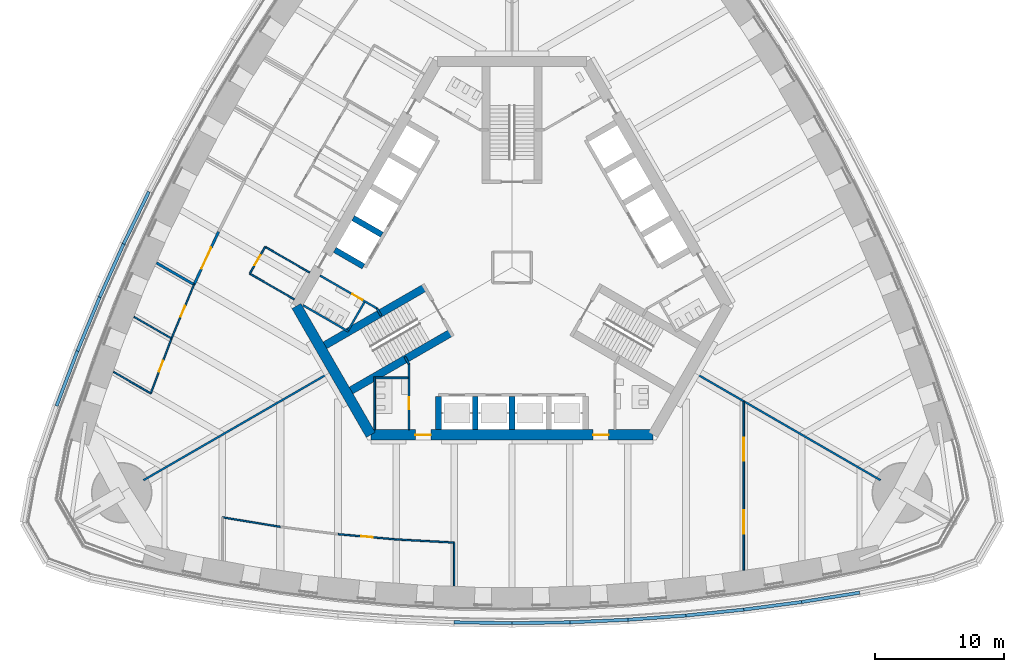
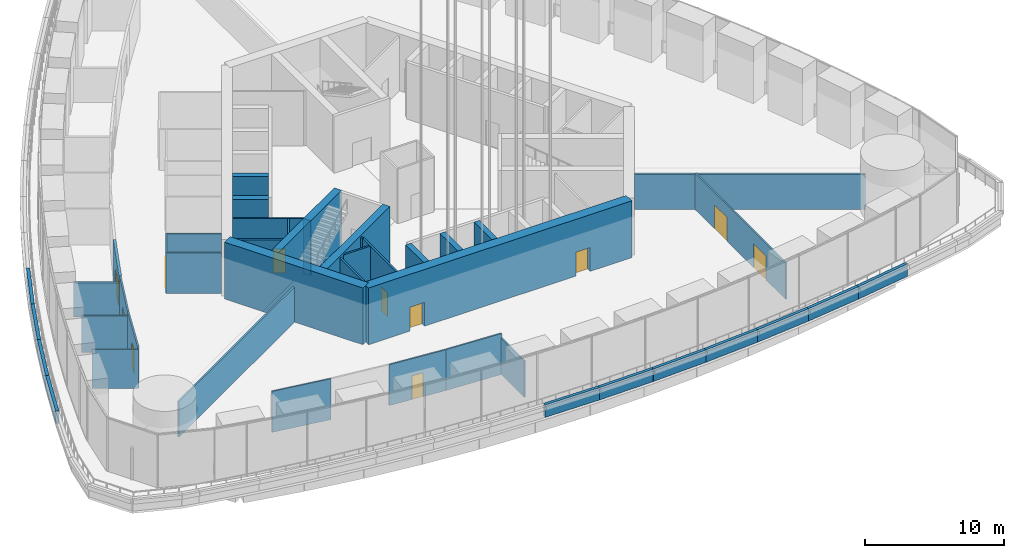
# One storey, part 14 of 33: 44 walls, 11 doors, 11 openings.
"""IFC4 building model written with IfcOpenShell, lengths in metres."""

import ifcopenshell
import ifcopenshell.guid

model = None  # the IFC model being written
_history = None  # IfcOwnerHistory: only IFC2X3 demands one
_inside = {}  # id of a spatial element -> (the spatial element, [elements in it])
_under = {}  # id of a project, library or spatial element -> (it, [spatial elements below it])
_declared = {}  # id of a project -> (the project, [libraries it declares])
_typed = {}  # id of a type object -> (the type object, [elements of that type])
_made_of = {}  # id of a material, layer set ... -> (it, [elements and type objects made of it])


def new_model(schema):
    """Start an empty IFC model of exactly this schema.

    Asked for "IFC4X3", IfcOpenShell would pick the latest addendum, in which some entities
    have other attributes; the version numbers below select the first issue.
    IFC2X3 requires an IfcOwnerHistory on every rooted entity: one is made here for all.
    """
    global model, _history
    if schema == "IFC4X3":
        model = ifcopenshell.file(schema_version=(4, 3, 0, 0))
    else:
        model = ifcopenshell.file(schema=schema)
    _inside.clear()
    _under.clear()
    _declared.clear()
    _typed.clear()
    _made_of.clear()
    _history = None
    if model.schema == "IFC2X3":
        org = make("IfcOrganization", Name="unknown")
        user = make(
            "IfcPersonAndOrganization",
            ThePerson=make("IfcPerson", FamilyName="unknown"),
            TheOrganization=org,
        )
        app = make(
            "IfcApplication",
            ApplicationDeveloper=org,
            Version="unknown",
            ApplicationFullName="unknown",
            ApplicationIdentifier="unknown",
        )
        _history = make(
            "IfcOwnerHistory",
            OwningUser=user,
            OwningApplication=app,
            ChangeAction="ADDED",
            CreationDate=0,
        )
    return model


def make(cls, **values):
    """One entity of the class cls with the attributes given. An attribute that is None is left unset."""
    return model.create_entity(
        cls, **{name: value for name, value in values.items() if value is not None}
    )


def rooted(cls, **values):
    """An entity with a GlobalId (a new one), such as an element, a storey or a relation."""
    return make(cls, GlobalId=ifcopenshell.guid.new(), OwnerHistory=_history, **values)


def si_unit(unit_type, name, prefix=None):
    """IfcSIUnit, for example si_unit("LENGTHUNIT", "METRE", prefix="MILLI")."""
    return make("IfcSIUnit", UnitType=unit_type, Prefix=prefix, Name=name)


def assignment(units):
    """IfcUnitAssignment: the units of a project."""
    return None if units is None else make("IfcUnitAssignment", Units=units)


def point(xyz):
    """IfcCartesianPoint."""
    return None if xyz is None else make("IfcCartesianPoint", Coordinates=xyz)


def direction(xyz):
    """IfcDirection."""
    return None if xyz is None else make("IfcDirection", DirectionRatios=xyz)


def frame(location, z_axis=None, x_axis=None):
    """IfcAxis2Placement3D, a coordinate frame: its origin and axes. An axis left out is left unset."""
    return make(
        "IfcAxis2Placement3D",
        Location=point(location),
        Axis=direction(z_axis),
        RefDirection=direction(x_axis),
    )


def frame_2d(location, x_axis=None):
    """IfcAxis2Placement2D, a coordinate frame in the plane: its origin and x axis."""
    return make(
        "IfcAxis2Placement2D", Location=point(location), RefDirection=direction(x_axis)
    )


def origin():
    """The frame at (0, 0, 0) with its axes left unset."""
    return frame((0.0, 0.0, 0.0))


def place(relative_to, where):
    """IfcLocalPlacement: puts the frame where relative to a parent placement (None: the world)."""
    return make(
        "IfcLocalPlacement", PlacementRelTo=relative_to, RelativePlacement=where
    )


def context(
    kind, dimensions, precision=None, world=None, true_north=None, identifier=None
):
    """IfcGeometricRepresentationContext, for example the 3D "Model" context."""
    return make(
        "IfcGeometricRepresentationContext",
        ContextIdentifier=identifier,
        ContextType=kind,
        CoordinateSpaceDimension=dimensions,
        Precision=precision,
        WorldCoordinateSystem=world,
        TrueNorth=true_north,
    )


def subcontext(parent, identifier, kind, view, scale=None):
    """IfcGeometricRepresentationSubContext, for example "Body" below "Model"."""
    return make(
        "IfcGeometricRepresentationSubContext",
        ContextIdentifier=identifier,
        ContextType=kind,
        ParentContext=parent,
        TargetScale=scale,
        TargetView=view,
    )


def project(units=None, contexts=None):
    """IfcProject with its units and contexts."""
    return rooted(
        "IfcProject",
        Name="project",
        RepresentationContexts=contexts,
        UnitsInContext=assignment(units),
    )


def spatial(cls, under=None, at=None, **own):
    """A site, building, storey or space (cls), placed at a placement, below another one or the project."""
    s = rooted(cls, ObjectPlacement=at, **own)
    if under is not None:
        _under.setdefault(under.id(), (under, []))[1].append(s)
    return s


def profile(cls, at=None, kind="AREA", **sizes):
    """A parametric profile (cls). Its sizes go by their IFC names, for example OverallWidth=200.0."""
    return make(cls, ProfileType=kind, Position=at, **sizes)


def rectangle(**sizes):
    """IfcRectangleProfileDef."""
    return profile("IfcRectangleProfileDef", **sizes)


def extrude(swept, where, along, depth):
    """IfcExtrudedAreaSolid: the profile swept, set in the frame where, extruded along a direction by depth."""
    return make(
        "IfcExtrudedAreaSolid",
        SweptArea=swept,
        Position=where,
        ExtrudedDirection=direction(along),
        Depth=depth,
    )


def shape(context_of_items, identifier, shape_type, items):
    """IfcShapeRepresentation: the items that make up one representation, for example the "Body"."""
    return make(
        "IfcShapeRepresentation",
        ContextOfItems=context_of_items,
        RepresentationIdentifier=identifier,
        RepresentationType=shape_type,
        Items=items,
    )


def material(Name=None, Category=None):
    """IfcMaterial."""
    return make("IfcMaterial", Name=Name, Category=Category)


def layer(
    of_material, thickness, ventilated=None, Name=None, Category=None, Priority=None
):
    """IfcMaterialLayer: one layer of a wall or slab, of a material (None: an air gap)."""
    return make(
        "IfcMaterialLayer",
        Material=of_material,
        LayerThickness=thickness,
        IsVentilated=ventilated,
        Name=Name,
        Category=Category,
        Priority=Priority,
    )


def layer_set(layers, Name=None):
    """IfcMaterialLayerSet."""
    return make("IfcMaterialLayerSet", MaterialLayers=layers, LayerSetName=Name)


def made_of(thing, what):
    """Note that an element or type object is made of a material, layer set ...; save() writes the relation."""
    if what is not None:
        _made_of.setdefault(what.id(), (what, []))[1].append(thing)
    return thing


def type_object(cls, material=None, **own):
    """A type object (cls), such as IfcWallType, which elements share."""
    return made_of(rooted(cls, **own), material)


def element(
    cls,
    number,
    at=None,
    inside=None,
    cuts=None,
    type_object=None,
    material=None,
    context=None,
    identifier="Body",
    shape_type=None,
    held_by="IfcProductDefinitionShape",
    body=None,
    shapes=None,
    **own,
):
    """One element of the class cls, such as IfcWall. Its Tag is "e" and its number.

    at: its placement. inside: the storey or other place that contains it. cuts: it is an
    opening in that element (IfcRelVoidsElement). A single representation is given by context,
    identifier, shape_type and body (its items); several are given by shapes. held_by: the class
    of the entity that holds the representations. save() writes the other relations.
    """
    e = rooted(cls, Tag="e%d" % number, ObjectPlacement=at, **own)
    if body is not None:
        shapes = [shape(context, identifier, shape_type, body)]
    if shapes is not None:
        e.Representation = make(held_by, Representations=shapes)
    if inside is not None:
        _inside.setdefault(inside.id(), (inside, []))[1].append(e)
    if cuts is not None:
        rooted(
            "IfcRelVoidsElement", RelatingBuildingElement=cuts, RelatedOpeningElement=e
        )
    if type_object is not None:
        _typed.setdefault(type_object.id(), (type_object, []))[1].append(e)
    return made_of(e, material)


def fill(opening, filler):
    """IfcRelFillsElement: the door or window that sits in an opening."""
    return rooted(
        "IfcRelFillsElement",
        RelatingOpeningElement=opening,
        RelatedBuildingElement=filler,
    )


def aggregate(whole, parts):
    """IfcRelAggregates: a whole, such as a stair, and the parts it consists of."""
    return rooted("IfcRelAggregates", RelatingObject=whole, RelatedObjects=parts)


def save(model, path):
    """Write the relations noted so far, then the file.

    IfcRelAggregates (storeys below a building ...), IfcRelContainedInSpatialStructure (elements
    in a storey), IfcRelDefinesByType, IfcRelAssociatesMaterial and IfcRelDeclares: one each for
    every whole, place, type object, material and project.
    """
    for whole, parts in _under.values():
        aggregate(whole, parts)
    for where, things in _inside.values():
        rooted(
            "IfcRelContainedInSpatialStructure",
            RelatedElements=things,
            RelatingStructure=where,
        )
    for kind, things in _typed.values():
        rooted("IfcRelDefinesByType", RelatedObjects=things, RelatingType=kind)
    for what, things in _made_of.values():
        rooted("IfcRelAssociatesMaterial", RelatedObjects=things, RelatingMaterial=what)
    for by, libraries in _declared.values():
        rooted("IfcRelDeclares", RelatingContext=by, RelatedDefinitions=libraries)
    model.write(path)


model = new_model("IFC4")

# Units and contexts
model_context = context("Model", 3, precision=1e-05, world=origin(), true_north=direction((0.0, 1.0)))
body_context = subcontext(model_context, "Body", "Model", "MODEL_VIEW")
ifc_project = project(units=[si_unit("LENGTHUNIT", "METRE"), si_unit("AREAUNIT", "SQUARE_METRE"), si_unit("VOLUMEUNIT", "CUBIC_METRE"), si_unit("PLANEANGLEUNIT", "RADIAN"), si_unit("MASSUNIT", "GRAM", prefix="KILO")], contexts=[model_context])

# Site, building, storey
site_placement = place(None, origin())
site = spatial("IfcSite", under=ifc_project, at=site_placement, CompositionType="ELEMENT")
building_placement = place(site_placement, origin())
building = spatial("IfcBuilding", under=site, at=building_placement, Name="Trefoil Bronze Tower", CompositionType="ELEMENT")
storey_placement = place(building_placement, frame((0.0, 0.0, 98.10009765625)))
storey = spatial("IfcBuildingStorey", under=building, at=storey_placement, Name="L22", CompositionType="ELEMENT", Elevation=98.10009765625)

# Wall, opening, door
ifc_material_1 = material(Name="Gypsum board on steel studs", Category="steel")
ifc_layer_1 = layer(ifc_material_1, 0.199951171875)
ifc_layer_set_1 = layer_set([ifc_layer_1], Name="Acoustic partition 200")
wall_type_1 = type_object("IfcWallType", Name="Acoustic partition 200", PredefinedType="PARTITIONING", material=ifc_layer_set_1)
wall_1_placement = place(storey_placement, frame((-22.794677734375, 2.768310546875, 0.0), z_axis=(0.0, 0.0, 1.0), x_axis=(-0.41992827805, -0.90755729367, 0.0)))
wall_1 = element("IfcWall", 1, at=wall_1_placement, inside=storey, type_object=wall_type_1, Name="Partition F3 L22", PredefinedType="PARTITIONING", context=body_context, shape_type="SweptSolid", body=[
    extrude(rectangle(XDim=4.5185546875, YDim=0.199951171875, at=frame_2d((2.25927734375, 0.0))), origin(), (0.0, 0.0, 1.0), 3.599853515625),
])
opening_1_placement = place(wall_1_placement, frame((1.35009765625, 0.0, 0.0)))
opening_1 = element("IfcOpeningElement", 2, at=opening_1_placement, cuts=wall_1, Name="Opening D10", PredefinedType="OPENING", context=body_context, shape_type="SweptSolid", body=[
    extrude(rectangle(XDim=1.800048828125, YDim=2.10009765625, at=frame_2d((0.89990234375, 1.050048828125))), frame((0.0, 0.10986328125, 0.0), z_axis=(0.0, -1.0, 0.0), x_axis=(1.0, 0.0, 0.0)), (0.0, 0.0, 1.0), 0.219970703125),
])
ifc_material_2 = material(Name="Timber door", Category="wood")
door_type_1 = type_object("IfcDoorType", Name="Double door 1800", OperationType="DOUBLE_DOOR_SINGLE_SWING", PredefinedType="DOOR", material=ifc_material_2)
door_1_placement = place(opening_1_placement, frame((1.800048828125, 0.0, 0.0), z_axis=(0.0, 0.0, 1.0), x_axis=(-1.0, 0.0, 0.0)))
door_1 = element("IfcDoor", 3, at=door_1_placement, inside=storey, type_object=door_type_1, Name="Conference room door F3 L22", OperationType="DOUBLE_DOOR_SINGLE_SWING", OverallHeight=2.10009765625, OverallWidth=1.800048828125, PredefinedType="DOOR", context=body_context, shape_type="SweptSolid", body=[
    extrude(rectangle(XDim=1.800048828125, YDim=2.10009765625, at=frame_2d((0.89990234375, 1.050048828125))), frame((0.0, 0.02490234375, 0.0), z_axis=(0.0, -1.0, 0.0), x_axis=(1.0, 0.0, 0.0)), (0.0, 0.0, 1.0), 0.050048828125),
])
fill(opening_1, door_1)

# Wall
wall_2_placement = place(storey_placement, frame((-24.692138671875, -1.33251953125, 0.0), z_axis=(0.0, 0.0, 1.0), x_axis=(-0.866025882247, 0.499999171277, 0.0)))
element("IfcWall", 4, at=wall_2_placement, inside=storey, type_object=wall_type_1, Name="Partition F3 L22", PredefinedType="PARTITIONING", context=body_context, shape_type="SweptSolid", body=[
    extrude(rectangle(XDim=3.3603515625, YDim=0.199951171875, at=frame_2d((1.68017578125, 0.0))), origin(), (0.0, 0.0, 1.0), 3.0),
])

# Wall, openings, doors
ifc_material_3 = material(Name="Concrete B80", Category="concrete")
ifc_layer_2 = layer(ifc_material_3, 0.800048828125)
ifc_layer_set_2 = layer_set([ifc_layer_2], Name="Core wall 800")
wall_type_2 = type_object("IfcWallType", Name="Core wall 800", PredefinedType="SHEAR", material=ifc_layer_set_2)
wall_3_placement = place(storey_placement, frame((-10.9697265625, -13.0, 0.0), z_axis=(0.0, 0.0, 1.0), x_axis=(1.0, 0.0, 0.0)))
wall_3 = element("IfcWall", 5, at=wall_3_placement, inside=storey, type_object=wall_type_2, Name="Core long wall 1 L22", PredefinedType="SHEAR", context=body_context, shape_type="SweptSolid", body=[
    extrude(rectangle(XDim=21.939453125, YDim=0.800048828125, at=frame_2d((10.9697265625, 0.0))), origin(), (0.0, 0.0, 1.0), 5.0),
])
opening_2_placement = place(wall_3_placement, frame((17.269775390625, 0.0, 0.0)))
opening_2 = element("IfcOpeningElement", 6, at=opening_2_placement, cuts=wall_3, Name="Opening D2", PredefinedType="OPENING", context=body_context, shape_type="SweptSolid", body=[
    extrude(rectangle(XDim=1.199951171875, YDim=2.10009765625, at=frame_2d((0.60009765625, 1.050048828125))), frame((0.0, 0.409912109375, 0.0), z_axis=(0.0, -1.0, 0.0), x_axis=(1.0, 0.0, 0.0)), (0.0, 0.0, 1.0), 0.820068359375),
])
opening_3_placement = place(wall_3_placement, frame((3.4697265625, 0.0, 0.0)))
opening_3 = element("IfcOpeningElement", 7, at=opening_3_placement, cuts=wall_3, Name="Opening D2", PredefinedType="OPENING", context=body_context, shape_type="SweptSolid", body=[
    extrude(rectangle(XDim=1.199951171875, YDim=2.10009765625, at=frame_2d((0.60009765625, 1.050048828125))), frame((0.0, 0.409912109375, 0.0), z_axis=(0.0, -1.0, 0.0), x_axis=(1.0, 0.0, 0.0)), (0.0, 0.0, 1.0), 0.820068359375),
])
ifc_material_4 = material(Name="Steel door", Category="steel")
door_type_2 = type_object("IfcDoorType", Name="Lobby door 1200", OperationType="SINGLE_SWING_RIGHT", PredefinedType="DOOR", material=ifc_material_4)
door_2_placement = place(opening_2_placement, origin())
door_2 = element("IfcDoor", 8, at=door_2_placement, inside=storey, type_object=door_type_2, Name="Lobby door F1+ L22", OperationType="SINGLE_SWING_RIGHT", OverallHeight=2.10009765625, OverallWidth=1.199951171875, PredefinedType="DOOR", context=body_context, shape_type="SweptSolid", body=[
    extrude(rectangle(XDim=1.199951171875, YDim=2.10009765625, at=frame_2d((0.60009765625, 1.050048828125))), frame((0.0, 0.02490234375, 0.0), z_axis=(0.0, -1.0, 0.0), x_axis=(1.0, 0.0, 0.0)), (0.0, 0.0, 1.0), 0.050048828125),
])
fill(opening_2, door_2)
door_3_placement = place(opening_3_placement, origin())
door_3 = element("IfcDoor", 9, at=door_3_placement, inside=storey, type_object=door_type_2, Name="Lobby door F1- L22", OperationType="SINGLE_SWING_LEFT", OverallHeight=2.10009765625, OverallWidth=1.199951171875, PredefinedType="DOOR", context=body_context, shape_type="SweptSolid", body=[
    extrude(rectangle(XDim=1.199951171875, YDim=2.10009765625, at=frame_2d((0.60009765625, 1.050048828125))), frame((0.0, 0.02490234375, 0.0), z_axis=(0.0, -1.0, 0.0), x_axis=(1.0, 0.0, 0.0)), (0.0, 0.0, 1.0), 0.050048828125),
])
fill(opening_3, door_3)

# Wall
wall_4_placement = place(storey_placement, frame((-16.7431640625, -3.0, 0.0), z_axis=(0.0, 0.0, 1.0), x_axis=(0.499995765644, -0.866027848477, 0.0)))
element("IfcWall", 10, at=wall_4_placement, inside=storey, type_object=wall_type_2, Name="Core short wall 3 L22", PredefinedType="SHEAR", context=body_context, shape_type="SweptSolid", body=[
    extrude(rectangle(XDim=11.546875, YDim=0.800048828125, at=frame_2d((5.7734375, 0.0))), origin(), (0.0, 0.0, 1.0), 5.0),
])

# Wall, opening, door
ifc_material_5 = material(Name="Glazed partition", Category="glass")
ifc_layer_3 = layer(ifc_material_5, 0.1201171875)
ifc_layer_set_3 = layer_set([ifc_layer_3], Name="Glazed partition 120")
wall_type_3 = type_object("IfcWallType", Name="Glazed partition 120", PredefinedType="PARTITIONING", material=ifc_layer_set_3)
wall_5_placement = place(storey_placement, frame((-13.5, -20.7177734375, 0.0), z_axis=(0.0, 0.0, 1.0), x_axis=(0.995930325215, -0.090126507295, 0.0)))
wall_5 = element("IfcWall", 11, at=wall_5_placement, inside=storey, type_object=wall_type_3, Name="Partition F1 L22", PredefinedType="PARTITIONING", context=body_context, shape_type="SweptSolid", body=[
    extrude(rectangle(XDim=4.518310546875, YDim=0.1201171875, at=frame_2d((2.25927734375, 0.0))), origin(), (0.0, 0.0, 1.0), 3.599853515625),
])
opening_4_placement = place(wall_5_placement, frame((1.800048828125, 0.0, 0.0)))
opening_4 = element("IfcOpeningElement", 12, at=opening_4_placement, cuts=wall_5, Name="Opening D8", PredefinedType="OPENING", context=body_context, shape_type="SweptSolid", body=[
    extrude(rectangle(XDim=0.89990234375, YDim=2.10009765625, at=frame_2d((0.449951171875, 1.050048828125))), frame((0.0, 0.070068359375, 0.0), z_axis=(0.0, -1.0, 0.0), x_axis=(1.0, 0.0, 0.0)), (0.0, 0.0, 1.0), 0.14013671875),
])
ifc_material_6 = material(Name="Timber door", Category="wood")
door_type_3 = type_object("IfcDoorType", Name="Office door 900", OperationType="SINGLE_SWING_LEFT", PredefinedType="DOOR", material=ifc_material_6)
door_4_placement = place(opening_4_placement, origin())
door_4 = element("IfcDoor", 13, at=door_4_placement, inside=storey, type_object=door_type_3, Name="Exhibition gallery door F1 L22", OperationType="SINGLE_SWING_LEFT", OverallHeight=2.10009765625, OverallWidth=0.89990234375, PredefinedType="DOOR", context=body_context, shape_type="SweptSolid", body=[
    extrude(rectangle(XDim=0.89990234375, YDim=2.10009765625, at=frame_2d((0.449951171875, 1.050048828125))), frame((0.0, 0.02490234375, 0.0), z_axis=(0.0, -1.0, 0.0), x_axis=(1.0, 0.0, 0.0)), (0.0, 0.0, 1.0), 0.050048828125),
])
fill(opening_4, door_4)

# Walls
wall_6_placement = place(storey_placement, frame((-22.5, -19.406005859375, 0.0), z_axis=(0.0, 0.0, 1.0), x_axis=(0.986764681833, -0.162158757664, 0.0)))
element("IfcWall", 14, at=wall_6_placement, inside=storey, type_object=wall_type_3, Name="Partition F1 L22", PredefinedType="PARTITIONING", context=body_context, shape_type="SweptSolid", body=[
    extrude(rectangle(XDim=4.560302734375, YDim=0.1201171875, at=frame_2d((2.2802734375, 0.0))), origin(), (0.0, 0.0, 1.0), 3.599853515625),
])
wall_7_placement = place(storey_placement, frame((-9.0, -21.125, 0.0), z_axis=(0.0, 0.0, 1.0), x_axis=(0.998537376538, -0.054065771581, 0.0)))
element("IfcWall", 15, at=wall_7_placement, inside=storey, type_object=wall_type_3, Name="Partition F1 L22", PredefinedType="PARTITIONING", context=body_context, shape_type="SweptSolid", body=[
    extrude(rectangle(XDim=4.506591796875, YDim=0.1201171875, at=frame_2d((2.25341796875, 0.0))), origin(), (0.0, 0.0, 1.0), 3.599853515625),
])

# Wall, openings, doors
wall_8_placement = place(storey_placement, frame((18.0, -10.42138671875, 0.0), z_axis=(0.0, 0.0, 1.0), x_axis=(0.0, -1.0, 0.0)))
wall_8 = element("IfcWall", 16, at=wall_8_placement, inside=storey, type_object=wall_type_3, Name="Partition F1 L22", PredefinedType="PARTITIONING", context=body_context, shape_type="SweptSolid", body=[
    extrude(rectangle(XDim=13.0771484375, YDim=0.1201171875, at=frame_2d((6.53857421875, 0.0))), origin(), (0.0, 0.0, 1.0), 3.199951171875),
])
opening_5_placement = place(wall_8_placement, frame((2.800048828125, 0.0, 0.0)))
opening_5 = element("IfcOpeningElement", 17, at=opening_5_placement, cuts=wall_8, Name="Opening D10", PredefinedType="OPENING", context=body_context, shape_type="SweptSolid", body=[
    extrude(rectangle(XDim=1.800048828125, YDim=2.10009765625, at=frame_2d((0.89990234375, 1.050048828125))), frame((0.0, 0.070068359375, 0.0), z_axis=(0.0, -1.0, 0.0), x_axis=(1.0, 0.0, 0.0)), (0.0, 0.0, 1.0), 0.14013671875),
])
opening_6_placement = place(wall_8_placement, frame((8.449951171875, 0.0, 0.0)))
opening_6 = element("IfcOpeningElement", 18, at=opening_6_placement, cuts=wall_8, Name="Opening D10", PredefinedType="OPENING", context=body_context, shape_type="SweptSolid", body=[
    extrude(rectangle(XDim=1.800048828125, YDim=2.10009765625, at=frame_2d((0.89990234375, 1.050048828125))), frame((0.0, 0.070068359375, 0.0), z_axis=(0.0, -1.0, 0.0), x_axis=(1.0, 0.0, 0.0)), (0.0, 0.0, 1.0), 0.14013671875),
])
door_5_placement = place(opening_5_placement, frame((1.800048828125, 0.0, 0.0), z_axis=(0.0, 0.0, 1.0), x_axis=(-1.0, 0.0, 0.0)))
door_5 = element("IfcDoor", 19, at=door_5_placement, inside=storey, type_object=door_type_1, Name="Sky cafe door F1 L22", OperationType="DOUBLE_DOOR_SINGLE_SWING", OverallHeight=2.10009765625, OverallWidth=1.800048828125, PredefinedType="DOOR", context=body_context, shape_type="SweptSolid", body=[
    extrude(rectangle(XDim=1.800048828125, YDim=2.10009765625, at=frame_2d((0.89990234375, 1.050048828125))), frame((0.0, 0.02490234375, 0.0), z_axis=(0.0, -1.0, 0.0), x_axis=(1.0, 0.0, 0.0)), (0.0, 0.0, 1.0), 0.050048828125),
])
fill(opening_5, door_5)
door_6_placement = place(opening_6_placement, frame((1.800048828125, 0.0, 0.0), z_axis=(0.0, 0.0, 1.0), x_axis=(-1.0, 0.0, 0.0)))
door_6 = element("IfcDoor", 20, at=door_6_placement, inside=storey, type_object=door_type_1, Name="Sky cafe door F1 L22", OperationType="DOUBLE_DOOR_SINGLE_SWING", OverallHeight=2.10009765625, OverallWidth=1.800048828125, PredefinedType="DOOR", context=body_context, shape_type="SweptSolid", body=[
    extrude(rectangle(XDim=1.800048828125, YDim=2.10009765625, at=frame_2d((0.89990234375, 1.050048828125))), frame((0.0, 0.02490234375, 0.0), z_axis=(0.0, -1.0, 0.0), x_axis=(1.0, 0.0, 0.0)), (0.0, 0.0, 1.0), 0.050048828125),
])
fill(opening_6, door_6)

# Wall
wall_9_placement = place(storey_placement, frame((-4.5, -21.36865234375, 0.0), z_axis=(0.0, 0.0, 1.0), x_axis=(0.0, -1.0, 0.0)))
element("IfcWall", 21, at=wall_9_placement, inside=storey, type_object=wall_type_3, Name="Partition F1 L22", PredefinedType="PARTITIONING", context=body_context, shape_type="SweptSolid", body=[
    extrude(rectangle(XDim=3.368896484375, YDim=0.1201171875, at=frame_2d((1.6845703125, 0.0))), origin(), (0.0, 0.0, 1.0), 3.199951171875),
])

# Wall, opening, door
wall_10_placement = place(storey_placement, frame((-19.1689453125, 1.5986328125, 0.0), z_axis=(0.0, 0.0, 1.0), x_axis=(-0.499957262057, -0.866050077142, 0.0)))
wall_10 = element("IfcWall", 22, at=wall_10_placement, inside=storey, type_object=wall_type_3, Name="Partition F3 L22", PredefinedType="PARTITIONING", context=body_context, shape_type="SweptSolid", body=[
    extrude(rectangle(XDim=2.400146484375, YDim=0.1201171875, at=frame_2d((1.2001953125, 0.0))), origin(), (0.0, 0.0, 1.0), 3.599853515625),
])
opening_7_placement = place(wall_10_placement, frame((0.75, 0.0, 0.0)))
opening_7 = element("IfcOpeningElement", 23, at=opening_7_placement, cuts=wall_10, Name="Opening D8", PredefinedType="OPENING", context=body_context, shape_type="SweptSolid", body=[
    extrude(rectangle(XDim=0.89990234375, YDim=2.10009765625, at=frame_2d((0.449951171875, 1.050048828125))), frame((0.0, 0.070068359375, 0.0), z_axis=(0.0, -1.0, 0.0), x_axis=(1.0, 0.0, 0.0)), (0.0, 0.0, 1.0), 0.14013671875),
])
door_7_placement = place(opening_7_placement, origin())
door_7 = element("IfcDoor", 24, at=door_7_placement, inside=storey, type_object=door_type_3, Name="Store door F3 L22", OperationType="SINGLE_SWING_RIGHT", OverallHeight=2.10009765625, OverallWidth=0.89990234375, PredefinedType="DOOR", context=body_context, shape_type="SweptSolid", body=[
    extrude(rectangle(XDim=0.89990234375, YDim=2.10009765625, at=frame_2d((0.449951171875, 1.050048828125))), frame((0.0, 0.02490234375, 0.0), z_axis=(0.0, -1.0, 0.0), x_axis=(1.0, 0.0, 0.0)), (0.0, 0.0, 1.0), 0.050048828125),
])
fill(opening_7, door_7)

# Walls
for number, where, z_axis, x_axis, name in (
    (25, (-16.90478515625, -2.47998046875, 0.0), (0.0, 0.0, 1.0), (-0.866026010844, 0.49999894854, 0.0), "Partition F3 L22"),
    (26, (-15.704833984375, -0.4013671875, 0.0), (0.0, 0.0, 1.0), (-0.866026010844, 0.49999894854, 0.0), "Partition F3 L22"),
):
    element("IfcWall", number, at=place(storey_placement, frame(where, z_axis=z_axis, x_axis=x_axis)), inside=storey, type_object=wall_type_3, Name=name, PredefinedType="PARTITIONING", context=body_context, shape_type="SweptSolid", body=[
        extrude(rectangle(XDim=4.0, YDim=0.1201171875, at=frame_2d((2.0, 0.0))), origin(), (0.0, 0.0, 1.0), 3.599853515625),
    ])

# Wall, opening, door
wall_11_placement = place(storey_placement, frame((-24.692138671875, -1.33251953125, 0.0), z_axis=(0.0, 0.0, 1.0), x_axis=(-0.386762112496, -0.922179520667, 0.0)))
wall_11 = element("IfcWall", 27, at=wall_11_placement, inside=storey, type_object=wall_type_3, Name="Partition F3 L22", PredefinedType="PARTITIONING", context=body_context, shape_type="SweptSolid", body=[
    extrude(rectangle(XDim=4.5361328125, YDim=0.1201171875, at=frame_2d((2.26806640625, 0.0))), origin(), (0.0, 0.0, 1.0), 3.599853515625),
])
opening_8_placement = place(wall_11_placement, frame((1.800048828125, 0.0, 0.0)))
opening_8 = element("IfcOpeningElement", 28, at=opening_8_placement, cuts=wall_11, Name="Opening D8", PredefinedType="OPENING", context=body_context, shape_type="SweptSolid", body=[
    extrude(rectangle(XDim=0.89990234375, YDim=2.10009765625, at=frame_2d((0.449951171875, 1.050048828125))), frame((0.0, 0.070068359375, 0.0), z_axis=(0.0, -1.0, 0.0), x_axis=(1.0, 0.0, 0.0)), (0.0, 0.0, 1.0), 0.14013671875),
])
door_8_placement = place(opening_8_placement, frame((0.89990234375, 0.0, 0.0), z_axis=(0.0, 0.0, 1.0), x_axis=(-1.0, 0.0, 0.0)))
door_8 = element("IfcDoor", 29, at=door_8_placement, inside=storey, type_object=door_type_3, Name="Office door F3 L22", OperationType="SINGLE_SWING_RIGHT", OverallHeight=2.10009765625, OverallWidth=0.89990234375, PredefinedType="DOOR", context=body_context, shape_type="SweptSolid", body=[
    extrude(rectangle(XDim=0.89990234375, YDim=2.10009765625, at=frame_2d((0.449951171875, 1.050048828125))), frame((0.0, 0.02490234375, 0.0), z_axis=(0.0, -1.0, 0.0), x_axis=(1.0, 0.0, 0.0)), (0.0, 0.0, 1.0), 0.050048828125),
])
fill(opening_8, door_8)

wall_12_placement = place(storey_placement, frame((-26.446533203125, -5.515625, 0.0), z_axis=(0.0, 0.0, 1.0), x_axis=(-0.352894560512, -0.93566309597, 0.0)))
wall_12 = element("IfcWall", 30, at=wall_12_placement, inside=storey, type_object=wall_type_3, Name="Partition F3 L22", PredefinedType="PARTITIONING", context=body_context, shape_type="SweptSolid", body=[
    extrude(rectangle(XDim=4.560546875, YDim=0.1201171875, at=frame_2d((2.2802734375, 0.0))), origin(), (0.0, 0.0, 1.0), 3.599853515625),
])
opening_9_placement = place(wall_12_placement, frame((1.85009765625, 0.0, 0.0)))
opening_9 = element("IfcOpeningElement", 31, at=opening_9_placement, cuts=wall_12, Name="Opening D8", PredefinedType="OPENING", context=body_context, shape_type="SweptSolid", body=[
    extrude(rectangle(XDim=0.89990234375, YDim=2.10009765625, at=frame_2d((0.449951171875, 1.050048828125))), frame((0.0, 0.070068359375, 0.0), z_axis=(0.0, -1.0, 0.0), x_axis=(1.0, 0.0, 0.0)), (0.0, 0.0, 1.0), 0.14013671875),
])
door_9_placement = place(opening_9_placement, frame((0.89990234375, 0.0, 0.0), z_axis=(0.0, 0.0, 1.0), x_axis=(-1.0, 0.0, 0.0)))
door_9 = element("IfcDoor", 32, at=door_9_placement, inside=storey, type_object=door_type_3, Name="Office door F3 L22", OperationType="SINGLE_SWING_LEFT", OverallHeight=2.10009765625, OverallWidth=0.89990234375, PredefinedType="DOOR", context=body_context, shape_type="SweptSolid", body=[
    extrude(rectangle(XDim=0.89990234375, YDim=2.10009765625, at=frame_2d((0.449951171875, 1.050048828125))), frame((0.0, 0.02490234375, 0.0), z_axis=(0.0, -1.0, 0.0), x_axis=(1.0, 0.0, 0.0)), (0.0, 0.0, 1.0), 0.050048828125),
])
fill(opening_9, door_9)

# Walls
wall_13_placement = place(storey_placement, frame((-26.446533203125, -5.515625, 0.0), z_axis=(0.0, 0.0, 1.0), x_axis=(-0.866025533106, 0.499999776008, 0.0)))
element("IfcWall", 33, at=wall_13_placement, inside=storey, type_object=wall_type_3, Name="Partition F3 L22", PredefinedType="PARTITIONING", context=body_context, shape_type="SweptSolid", body=[
    extrude(rectangle(XDim=3.35302734375, YDim=0.1201171875, at=frame_2d((1.676513671875, 0.0))), origin(), (0.0, 0.0, 1.0), 3.199951171875),
])
wall_14_placement = place(storey_placement, frame((-28.055908203125, -9.78271484375, 0.0), z_axis=(0.0, 0.0, 1.0), x_axis=(-0.866018979599, 0.50001112685, 0.0)))
element("IfcWall", 34, at=wall_14_placement, inside=storey, type_object=wall_type_3, Name="Partition F3 L22", PredefinedType="PARTITIONING", context=body_context, shape_type="SweptSolid", body=[
    extrude(rectangle(XDim=3.34326171875, YDim=0.1201171875, at=frame_2d((1.671630859375, 0.0))), origin(), (0.0, 0.0, 1.0), 3.39990234375),
])
ifc_material_7 = material(Name="Concrete B80", Category="concrete")
ifc_layer_4 = layer(ifc_material_7, 0.449951171875)
ifc_layer_set_4 = layer_set([ifc_layer_4], Name="Outrigger shaft wall 450")
wall_type_4 = type_object("IfcWallType", Name="Outrigger shaft wall 450", PredefinedType="SHEAR", material=ifc_layer_set_4)
for number, where, z_axis, x_axis, name in (
    (35, (-5.699951171875, -10.02490234375, 0.0), (0.0, 0.0, 1.0), (0.0, -1.0, 0.0), "Lift shaft side wall A0 L22"),
    (36, (-2.85009765625, -10.02490234375, 0.0), (0.0, 0.0, 1.0), (0.0, -1.0, 0.0), "Lift shaft side wall A1 L22"),
    (37, (0.0, -10.02490234375, 0.0), (0.0, 0.0, 1.0), (0.0, -1.0, 0.0), "Lift shaft side wall A2 L22"),
):
    element("IfcWall", number, at=place(storey_placement, frame(where, z_axis=z_axis, x_axis=x_axis)), inside=storey, type_object=wall_type_4, Name=name, PredefinedType="SHEAR", context=body_context, shape_type="SweptSolid", body=[
        extrude(rectangle(XDim=2.5751953125, YDim=0.449951171875, at=frame_2d((1.28759765625, 0.0))), origin(), (0.0, 0.0, 1.0), 5.0),
    ])
for number, where, z_axis, x_axis, name in (
    (38, (-10.10693359375, 2.54443359375, 0.0), (0.0, 0.0, 1.0), (-0.866046643894, 0.499963209246, 0.0), "Lift shaft side wall C3 L22"),
    (39, (-11.531982421875, 0.076171875, 0.0), (0.0, 0.0, 1.0), (-0.866005588531, 0.500034319456, 0.0), "Lift shaft side wall C4 L22"),
):
    element("IfcWall", number, at=place(storey_placement, frame(where, z_axis=z_axis, x_axis=x_axis)), inside=storey, type_object=wall_type_4, Name=name, PredefinedType="SHEAR", context=body_context, shape_type="SweptSolid", body=[
        extrude(rectangle(XDim=2.574951171875, YDim=0.449951171875, at=frame_2d((1.28759765625, 0.0))), origin(), (0.0, 0.0, 1.0), 5.0),
    ])
ifc_material_8 = material(Name="Concrete B80", Category="concrete")
ifc_layer_5 = layer(ifc_material_8, 0.25)
ifc_layer_set_5 = layer_set([ifc_layer_5], Name="Parapet 250")
wall_type_5 = type_object("IfcWallType", Name="Parapet 250", PredefinedType="PARAPET", material=ifc_layer_set_5)
for number, where, z_axis, x_axis, name in (
    (40, (-4.5, -27.558349609375, 0.0), (0.0, 0.0, 1.0), (0.999894311967, -0.014538393859, 0.0), "Parapet L22.8"),
    (41, (0.0, -27.623779296875, 0.0), (0.0, 0.0, 1.0), (0.999894311967, 0.014538393859, 0.0), "Parapet L22.9"),
):
    element("IfcWall", number, at=place(storey_placement, frame(where, z_axis=z_axis, x_axis=x_axis)), inside=storey, type_object=wall_type_5, Name=name, PredefinedType="PARAPET", context=body_context, shape_type="SweptSolid", body=[
        extrude(rectangle(XDim=4.50048828125, YDim=0.25, at=frame_2d((2.250244140625, 0.0))), origin(), (0.0, 0.0, 1.0), 1.099853515625),
    ])
wall_15_placement = place(storey_placement, frame((4.5, -27.558349609375, 0.0), z_axis=(0.0, 0.0, 1.0), x_axis=(0.999052370647, 0.043524254212, 0.0)))
element("IfcWall", 42, at=wall_15_placement, inside=storey, type_object=wall_type_5, Name="Parapet L22.10", PredefinedType="PARAPET", context=body_context, shape_type="SweptSolid", body=[
    extrude(rectangle(XDim=4.504150390625, YDim=0.25, at=frame_2d((2.251953125, 0.0))), origin(), (0.0, 0.0, 1.0), 1.099853515625),
])
wall_16_placement = place(storey_placement, frame((9.0, -27.3623046875, 0.0), z_axis=(0.0, 0.0, 1.0), x_axis=(0.997363894896, 0.072562119306, 0.0)))
element("IfcWall", 43, at=wall_16_placement, inside=storey, type_object=wall_type_5, Name="Parapet L22.11", PredefinedType="PARAPET", context=body_context, shape_type="SweptSolid", body=[
    extrude(rectangle(XDim=4.511962890625, YDim=0.25, at=frame_2d((2.255859375, 0.0))), origin(), (0.0, 0.0, 1.0), 1.099853515625),
])
wall_17_placement = place(storey_placement, frame((13.5, -27.034912109375, 0.0), z_axis=(0.0, 0.0, 1.0), x_axis=(0.994833141332, 0.101523499286, 0.0)))
element("IfcWall", 44, at=wall_17_placement, inside=storey, type_object=wall_type_5, Name="Parapet L22.12", PredefinedType="PARAPET", context=body_context, shape_type="SweptSolid", body=[
    extrude(rectangle(XDim=4.5234375, YDim=0.25, at=frame_2d((2.26171875, 0.0))), origin(), (0.0, 0.0, 1.0), 1.099853515625),
])
wall_18_placement = place(storey_placement, frame((18.0, -26.57568359375, 0.0), z_axis=(0.0, 0.0, 1.0), x_axis=(0.991435244698, 0.130599217346, 0.0)))
element("IfcWall", 45, at=wall_18_placement, inside=storey, type_object=wall_type_5, Name="Parapet L22.13", PredefinedType="PARAPET", context=body_context, shape_type="SweptSolid", body=[
    extrude(rectangle(XDim=4.538818359375, YDim=0.25, at=frame_2d((2.26953125, 0.0))), origin(), (0.0, 0.0, 1.0), 1.099853515625),
])
wall_19_placement = place(storey_placement, frame((22.5, -25.98291015625, 0.0), z_axis=(0.0, 0.0, 1.0), x_axis=(0.987181300889, 0.159602879593, 0.0)))
element("IfcWall", 46, at=wall_19_placement, inside=storey, type_object=wall_type_5, Name="Parapet L22.14", PredefinedType="PARAPET", context=body_context, shape_type="SweptSolid", body=[
    extrude(rectangle(XDim=4.558349609375, YDim=0.25, at=frame_2d((2.279296875, 0.0))), origin(), (0.0, 0.0, 1.0), 1.099853515625),
])
wall_20_placement = place(storey_placement, frame((-28.196533203125, 5.886962890625, 0.0), z_axis=(0.0, 0.0, 1.0), x_axis=(-0.435857917556, -0.900015486369, 0.0)))
element("IfcWall", 47, at=wall_20_placement, inside=storey, type_object=wall_type_5, Name="Parapet L22.49", PredefinedType="PARAPET", context=body_context, shape_type="SweptSolid", body=[
    extrude(rectangle(XDim=4.511962890625, YDim=0.25, at=frame_2d((2.255859375, 0.0))), origin(), (0.0, 0.0, 1.0), 1.099853515625),
])
wall_21_placement = place(storey_placement, frame((-30.1630859375, 1.826171875, 0.0), z_axis=(0.0, 0.0, 1.0), x_axis=(-0.409451055745, -0.912332084796, 0.0)))
element("IfcWall", 48, at=wall_21_placement, inside=storey, type_object=wall_type_5, Name="Parapet L22.50", PredefinedType="PARAPET", context=body_context, shape_type="SweptSolid", body=[
    extrude(rectangle(XDim=4.523193359375, YDim=0.25, at=frame_2d((2.26171875, 0.0))), origin(), (0.0, 0.0, 1.0), 1.099853515625),
])
wall_22_placement = place(storey_placement, frame((-32.01513671875, -2.300537109375, 0.0), z_axis=(0.0, 0.0, 1.0), x_axis=(-0.382639984525, -0.923897527999, 0.0)))
element("IfcWall", 49, at=wall_22_placement, inside=storey, type_object=wall_type_5, Name="Parapet L22.51", PredefinedType="PARAPET", context=body_context, shape_type="SweptSolid", body=[
    extrude(rectangle(XDim=4.5390625, YDim=0.25, at=frame_2d((2.26953125, 0.0))), origin(), (0.0, 0.0, 1.0), 1.099853515625),
])
wall_23_placement = place(storey_placement, frame((-33.751953125, -6.494140625, 0.0), z_axis=(0.0, 0.0, 1.0), x_axis=(-0.355369393324, -0.934725946087, 0.0)))
element("IfcWall", 50, at=wall_23_placement, inside=storey, type_object=wall_type_5, Name="Parapet L22.52", PredefinedType="PARAPET", context=body_context, shape_type="SweptSolid", body=[
    extrude(rectangle(XDim=4.558349609375, YDim=0.25, at=frame_2d((2.279296875, 0.0))), origin(), (0.0, 0.0, 1.0), 1.099853515625),
])

# Wall, opening, door
ifc_material_9 = material(Name="Gypsum board on steel studs", Category="steel")
ifc_layer_6 = layer(ifc_material_9, 0.14990234375)
ifc_layer_set_6 = layer_set([ifc_layer_6], Name="Partition 150")
wall_type_6 = type_object("IfcWallType", Name="Partition 150", PredefinedType="PARTITIONING", material=ifc_layer_set_6)
wall_24_placement = place(storey_placement, frame((-8.0, -7.5, 0.0), z_axis=(0.0, 0.0, 1.0), x_axis=(0.0, -1.0, 0.0)))
wall_24 = element("IfcWall", 51, at=wall_24_placement, inside=storey, type_object=wall_type_6, Name="Passage wall F1- L22", PredefinedType="PARTITIONING", context=body_context, shape_type="SweptSolid", body=[
    extrude(rectangle(XDim=5.10009765625, YDim=0.14990234375, at=frame_2d((2.550048828125, 0.0))), origin(), (0.0, 0.0, 1.0), 4.7998046875),
])
opening_10_placement = place(wall_24_placement, frame((2.60009765625, 0.0, 0.0)))
opening_10 = element("IfcOpeningElement", 52, at=opening_10_placement, cuts=wall_24, Name="Opening D3", PredefinedType="OPENING", context=body_context, shape_type="SweptSolid", body=[
    extrude(rectangle(XDim=0.89990234375, YDim=2.10009765625, at=frame_2d((0.449951171875, 1.050048828125))), frame((0.0, 0.0849609375, 0.0), z_axis=(0.0, -1.0, 0.0), x_axis=(1.0, 0.0, 0.0)), (0.0, 0.0, 1.0), 0.169921875),
])
ifc_material_10 = material(Name="Timber door", Category="wood")
door_type_4 = type_object("IfcDoorType", Name="WC door 900", OperationType="SINGLE_SWING_LEFT", PredefinedType="DOOR", material=ifc_material_10)
door_10_placement = place(opening_10_placement, frame((0.89990234375, 0.0, 0.0), z_axis=(0.0, 0.0, 1.0), x_axis=(-1.0, 0.0, 0.0)))
door_10 = element("IfcDoor", 53, at=door_10_placement, inside=storey, type_object=door_type_4, Name="WC (women) door L22", OperationType="SINGLE_SWING_RIGHT", OverallHeight=2.10009765625, OverallWidth=0.89990234375, PredefinedType="DOOR", context=body_context, shape_type="SweptSolid", body=[
    extrude(rectangle(XDim=0.89990234375, YDim=2.10009765625, at=frame_2d((0.449951171875, 1.050048828125))), frame((0.0, 0.02490234375, 0.0), z_axis=(0.0, -1.0, 0.0), x_axis=(1.0, 0.0, 0.0)), (0.0, 0.0, 1.0), 0.050048828125),
])
fill(opening_10, door_10)

wall_25_placement = place(storey_placement, frame((-10.4951171875, -3.17822265625, 0.0), z_axis=(0.0, 0.0, 1.0), x_axis=(-0.86602216432, 0.500005610874, 0.0)))
wall_25 = element("IfcWall", 54, at=wall_25_placement, inside=storey, type_object=wall_type_6, Name="Passage wall F3+ L22", PredefinedType="PARTITIONING", context=body_context, shape_type="SweptSolid", body=[
    extrude(rectangle(XDim=5.10009765625, YDim=0.14990234375, at=frame_2d((2.550048828125, 0.0))), origin(), (0.0, 0.0, 1.0), 4.7998046875),
])
opening_11_placement = place(wall_25_placement, frame((1.300048828125, 0.0, 0.0)))
opening_11 = element("IfcOpeningElement", 55, at=opening_11_placement, cuts=wall_25, Name="Opening D3", PredefinedType="OPENING", context=body_context, shape_type="SweptSolid", body=[
    extrude(rectangle(XDim=0.89990234375, YDim=2.10009765625, at=frame_2d((0.449951171875, 1.050048828125))), frame((0.0, 0.0849609375, 0.0), z_axis=(0.0, -1.0, 0.0), x_axis=(1.0, 0.0, 0.0)), (0.0, 0.0, 1.0), 0.169921875),
])
door_11_placement = place(opening_11_placement, origin())
door_11 = element("IfcDoor", 56, at=door_11_placement, inside=storey, type_object=door_type_4, Name="WC (men) door L22", OperationType="SINGLE_SWING_LEFT", OverallHeight=2.10009765625, OverallWidth=0.89990234375, PredefinedType="DOOR", context=body_context, shape_type="SweptSolid", body=[
    extrude(rectangle(XDim=0.89990234375, YDim=2.10009765625, at=frame_2d((0.449951171875, 1.050048828125))), frame((0.0, 0.02490234375, 0.0), z_axis=(0.0, -1.0, 0.0), x_axis=(1.0, 0.0, 0.0)), (0.0, 0.0, 1.0), 0.050048828125),
])
fill(opening_11, door_11)

# Walls
for number, where, z_axis, x_axis, name in (
    (57, (-10.4951171875, -3.17822265625, 0.0), (0.0, 0.0, 1.0), (0.499842556608, -0.866116284689, 0.0), "WC wall ST3-1 L22"),
    (58, (-8.0, -7.5, 0.0), (0.0, 0.0, 1.0), (-0.499842556608, 0.866116284689, 0.0), "WC wall ST3+1 L22"),
):
    element("IfcWall", number, at=place(storey_placement, frame(where, z_axis=z_axis, x_axis=x_axis)), inside=storey, type_object=wall_type_6, Name=name, PredefinedType="PARTITIONING", context=body_context, shape_type="SweptSolid", body=[
        extrude(rectangle(XDim=0.645263671875, YDim=0.14990234375, at=frame_2d((0.32275390625, 0.0))), origin(), (0.0, 0.0, 1.0), 4.7998046875),
    ])
wall_26_placement = place(storey_placement, frame((-12.691162109375, -4.98193359375, 0.0), z_axis=(0.0, 0.0, 1.0), x_axis=(-0.8660249478, 0.500000789788, 0.0)))
element("IfcWall", 59, at=wall_26_placement, inside=storey, type_object=wall_type_6, Name="WC partition WC (men) L22", PredefinedType="PARTITIONING", context=body_context, shape_type="SweptSolid", body=[
    extrude(rectangle(XDim=4.10009765625, YDim=0.14990234375, at=frame_2d((2.050048828125, 0.0))), origin(), (0.0, 0.0, 1.0), 4.7998046875),
])
wall_27_placement = place(storey_placement, frame((-11.463623046875, -2.70556640625, 0.0), z_axis=(0.0, 0.0, 1.0), x_axis=(-0.50001992892, -0.866013897511, 0.0)))
element("IfcWall", 60, at=wall_27_placement, inside=storey, type_object=wall_type_6, Name="WC partition WC (men) L22", PredefinedType="PARTITIONING", context=body_context, shape_type="SweptSolid", body=[
    extrude(rectangle(XDim=2.51025390625, YDim=0.14990234375, at=frame_2d((1.255126953125, 0.0))), origin(), (0.0, 0.0, 1.0), 4.7998046875),
])
wall_28_placement = place(storey_placement, frame((-10.659912109375, -8.5, 0.0), z_axis=(0.0, 0.0, 1.0), x_axis=(0.0, -1.0, 0.0)))
element("IfcWall", 61, at=wall_28_placement, inside=storey, type_object=wall_type_6, Name="WC partition WC (women) L22", PredefinedType="PARTITIONING", context=body_context, shape_type="SweptSolid", body=[
    extrude(rectangle(XDim=4.10009765625, YDim=0.14990234375, at=frame_2d((2.050048828125, 0.0))), origin(), (0.0, 0.0, 1.0), 4.7998046875),
])
wall_29_placement = place(storey_placement, frame((-8.074951171875, -8.574951171875, 0.0), z_axis=(0.0, 0.0, 1.0), x_axis=(-1.0, 0.0, 0.0)))
element("IfcWall", 62, at=wall_29_placement, inside=storey, type_object=wall_type_6, Name="WC partition WC (women) L22", PredefinedType="PARTITIONING", context=body_context, shape_type="SweptSolid", body=[
    extrude(rectangle(XDim=2.510009765625, YDim=0.14990234375, at=frame_2d((1.2548828125, 0.0))), origin(), (0.0, 0.0, 1.0), 4.7998046875),
])
ifc_material_11 = material(Name="Gypsum board on steel studs", Category="steel")
ifc_layer_7 = layer(ifc_material_11, 0.14990234375)
ifc_layer_set_7 = layer_set([ifc_layer_7], Name="Party wall 150")
wall_type_7 = type_object("IfcWallType", Name="Party wall 150", PredefinedType="PARTITIONING", material=ifc_layer_set_7)
for number, where, z_axis, x_axis, name in (
    (63, (14.202880859375, -8.199951171875, 0.0), (0.0, 0.0, 1.0), (0.866024668836, -0.500001272966, 0.0), "Party wall K1 L22"),
    (64, (-14.202880859375, -8.199951171875, 0.0), (0.0, 0.0, 1.0), (-0.866024668836, -0.500001272966, 0.0), "Party wall K3 L22"),
):
    element("IfcWall", number, at=place(storey_placement, frame(where, z_axis=z_axis, x_axis=x_axis)), inside=storey, type_object=wall_type_7, Name=name, PredefinedType="PARTITIONING", context=body_context, shape_type="SweptSolid", body=[
        extrude(rectangle(XDim=16.64990234375, YDim=0.14990234375, at=frame_2d((8.324951171875, 0.0))), origin(), (0.0, 0.0, 1.0), 3.099853515625),
    ])
ifc_material_12 = material(Name="Concrete B80", Category="concrete")
ifc_layer_8 = layer(ifc_material_12, 0.60009765625)
ifc_layer_set_8 = layer_set([ifc_layer_8], Name="Stair wall 600")
wall_type_8 = type_object("IfcWallType", Name="Stair wall 600", PredefinedType="SHEAR", material=ifc_layer_set_8)
for number, where, z_axis, x_axis, name in (
    (65, (-6.663330078125, -1.5087890625, 0.0), (0.0, 0.0, 1.0), (-0.866019375473, -0.500010441196, 0.0), "Stair wall ST3 L22"),
    (66, (-4.638427734375, -5.01611328125, 0.0), (0.0, 0.0, 1.0), (-0.866019375473, -0.500010441196, 0.0), "Stair wall ST3 L22"),
):
    element("IfcWall", number, at=place(storey_placement, frame(where, z_axis=z_axis, x_axis=x_axis)), inside=storey, type_object=wall_type_8, Name=name, PredefinedType="SHEAR", context=body_context, shape_type="SweptSolid", body=[
        extrude(rectangle(XDim=9.074951171875, YDim=0.60009765625, at=frame_2d((4.53759765625, 0.0))), origin(), (0.0, 0.0, 1.0), 5.0),
    ])

save(model, "model.ifc")
